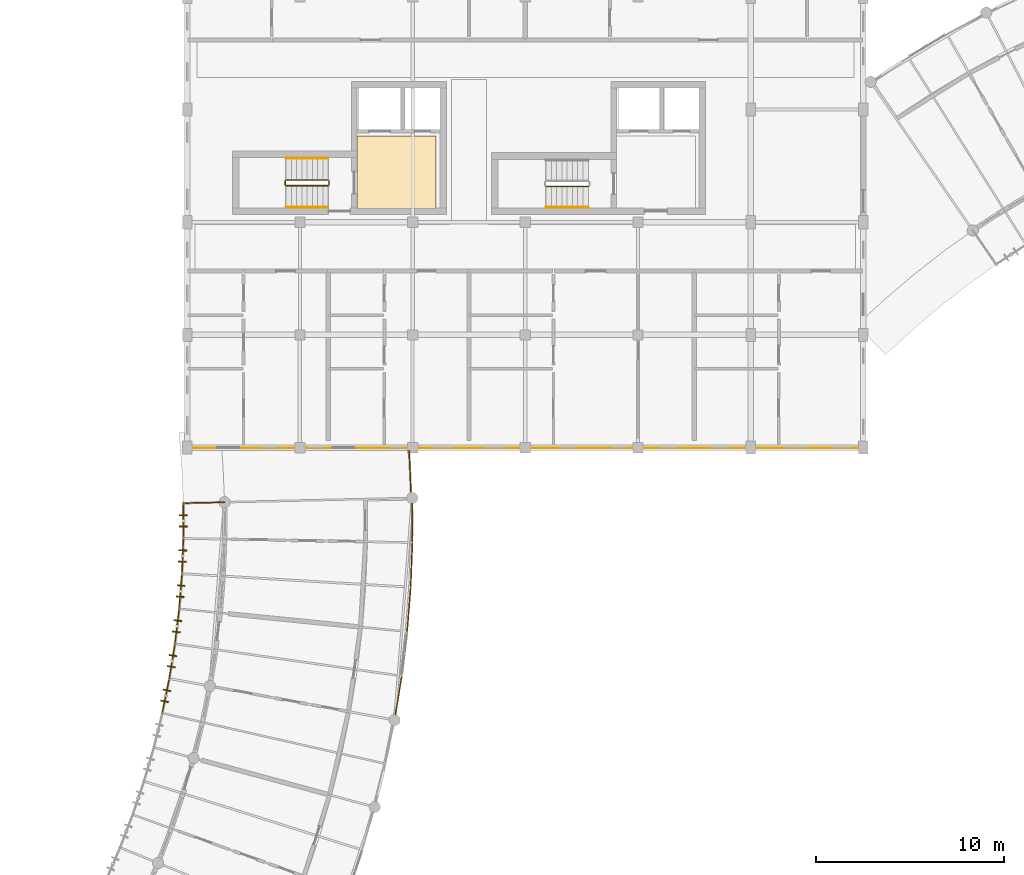
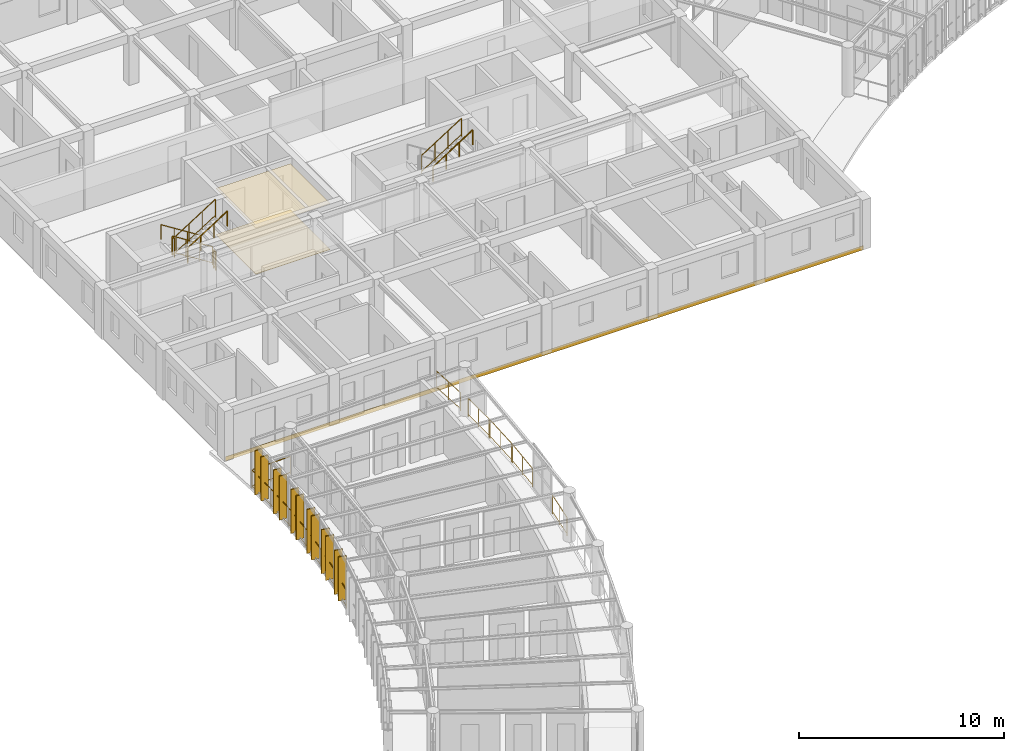
# One storey, part 95 of 101: 20 railings, 12 shading devices, 3 coverings.
"""IFC4 building model written with IfcOpenShell, lengths in metres."""

from ifc_helpers import new_model, si_unit, direction, frame, origin, origin_2d, place, context, subcontext, project, spatial, polyline, rectangle, circle, outline, extrude, material, layer, layer_set, type_object, element, save


model = new_model("IFC4")

# Units and contexts
model_context = context("Model", 3, precision=1e-05, world=origin(), true_north=direction((0.0, 1.0)))
body_context = subcontext(model_context, "Body", "Model", "MODEL_VIEW")
ifc_project = project(units=[si_unit("LENGTHUNIT", "METRE"), si_unit("AREAUNIT", "SQUARE_METRE"), si_unit("VOLUMEUNIT", "CUBIC_METRE"), si_unit("PLANEANGLEUNIT", "RADIAN"), si_unit("MASSUNIT", "GRAM", prefix="KILO"), si_unit("POWERUNIT", "WATT"), si_unit("THERMODYNAMICTEMPERATUREUNIT", "KELVIN")], contexts=[model_context])

# Site, building, storey
site_placement = place(None, origin())
site = spatial("IfcSite", under=ifc_project, at=site_placement, CompositionType="ELEMENT")
building_placement = place(site_placement, origin())
building = spatial("IfcBuilding", under=site, at=building_placement, Name="Ruvembo Vaulted Housing Court", CompositionType="ELEMENT")
storey_placement = place(building_placement, frame((0.0, 0.0, 17.300048828125)))
storey = spatial("IfcBuildingStorey", under=building, at=storey_placement, Name="L05", CompositionType="ELEMENT", Elevation=17.300048828125)

# Coverings
ifc_material_1 = material(Name="Perforated Mineral-Fibre Acoustic Tile", Category="gypsum")
ifc_layer_1 = layer(ifc_material_1, 0.02001953125, Name="Perforated Mineral-Fibre Acoustic Tile")
ifc_layer_set_1 = layer_set([ifc_layer_1], Name="Perforated Mineral-Fibre Acoustic Tile")
covering_type_1 = type_object("IfcCoveringType", Name="COV-CEIL-ACOUST", PredefinedType="CEILING", material=ifc_layer_set_1)
covering_1_placement = place(storey_placement, frame((0.0, 0.0, 2.75)))
element("IfcCovering", 1, at=covering_1_placement, inside=storey, type_object=covering_type_1, Name="Protected Core Lobby B1 Ceiling", PredefinedType="CEILING", context=body_context, shape_type="SweptSolid", body=[
    extrude(outline(polyline([(61.25, 94.60009765625), (57.050048828125, 94.60009765625), (57.050048828125, 90.699951171875), (61.25, 90.699951171875), (61.25, 94.60009765625)])), origin(), (0.0, 0.0, 1.0), 0.02001953125),
])
ifc_material_2 = material(Name="Lime-Cement Mineral Render", Category="plaster")
ifc_layer_2 = layer(ifc_material_2, 0.02490234375, Name="Lime-Cement Mineral Render")
ifc_layer_set_2 = layer_set([ifc_layer_2], Name="Lime-Cement Mineral Render")
covering_type_2 = type_object("IfcCoveringType", Name="COV-CLAD-RENDER", PredefinedType="CLADDING", material=ifc_layer_set_2)
covering_2_placement = place(storey_placement, frame((0.0, 0.0, -0.25)))
element("IfcCovering", 2, at=covering_2_placement, inside=storey, type_object=covering_type_2, Name="Block B L05 Mineral Render Fascia Band", PredefinedType="CLADDING", context=body_context, shape_type="SweptSolid", body=[
    extrude(outline(polyline([(48.0, 77.969970703125), (84.0, 77.969970703125), (84.0, 78.0), (48.0, 78.0), (48.0, 77.969970703125)])), origin(), (0.0, 0.0, 1.0), 0.25),
])
ifc_material_3 = material(Name="Polished Cement-Aggregate Terrazzo", Category="stone")
ifc_layer_3 = layer(ifc_material_3, 0.02197265625, Name="Polished Cement-Aggregate Terrazzo")
ifc_layer_set_3 = layer_set([ifc_layer_3], Name="Polished Cement-Aggregate Terrazzo")
covering_type_3 = type_object("IfcCoveringType", Name="COV-FLR-CERAMIC", PredefinedType="FLOORING", material=ifc_layer_set_3)
covering_3_placement = place(storey_placement, origin())
element("IfcCovering", 3, at=covering_3_placement, inside=storey, type_object=covering_type_3, Name="Protected Core Lobby B1 Flooring", PredefinedType="FLOORING", context=body_context, shape_type="SweptSolid", body=[
    extrude(outline(polyline([(61.25, 94.60009765625), (57.050048828125, 94.60009765625), (57.050048828125, 90.699951171875), (61.25, 90.699951171875), (61.25, 94.60009765625)])), origin(), (0.0, 0.0, 1.0), 0.02197265625),
])

# Railings
ifc_material_4 = material(Name="Galvanised Painted Steel and Laminated Glass", Category="steel")
ifc_layer_4 = layer(ifc_material_4, 0.070068359375, Name="Galvanised Painted Steel and Laminated Glass")
ifc_layer_set_4 = layer_set([ifc_layer_4], Name="Galvanised Painted Steel and Laminated Glass")
railing_type_1 = type_object("IfcRailingType", Name="RL-BALUST-1120", PredefinedType="BALUSTRADE", material=ifc_layer_set_4)
railing_1_placement = place(storey_placement, frame((59.089111328125, 63.79150390625, 0.0)))
element("IfcRailing", 4, at=railing_1_placement, inside=storey, type_object=railing_type_1, Name="L05 Perimeter Guard RL-EXT-L05-0192", PredefinedType="BALUSTRADE", context=body_context, shape_type="SweptSolid", body=[
    extrude(circle(Radius=0.02392578125, at=origin_2d()), frame((0.0, 0.0, 1.09619140625), z_axis=(0.160959462917, 0.986961018125, 0.0), x_axis=(-0.986961018125, 0.160959462917, 0.0)), (0.0, 0.0, 1.0), 2.0263671875),
    extrude(circle(Radius=0.01806640625, at=origin_2d()), frame((0.0, 0.0, 0.1201171875), z_axis=(0.160959462917, 0.986961018125, 0.0), x_axis=(-0.986961018125, 0.160959462917, 0.0)), (0.0, 0.0, 1.0), 2.0263671875),
    extrude(circle(Radius=0.02099609375, at=origin_2d()), origin(), (0.0, 0.0, 1.0), 1.072021484375),
    extrude(circle(Radius=0.02099609375, at=origin_2d()), frame((0.1630859375, 1.0, 0.0)), (0.0, 0.0, 1.0), 1.072021484375),
    extrude(circle(Radius=0.02099609375, at=origin_2d()), frame((0.326171875, 2.0, 0.0)), (0.0, 0.0, 1.0), 1.072021484375),
])
railing_2_placement = place(storey_placement, frame((59.71337890625, 68.249755859375, 0.0)))
element("IfcRailing", 5, at=railing_2_placement, inside=storey, type_object=railing_type_1, Name="L05 Perimeter Guard RL-EXT-L05-0193", PredefinedType="BALUSTRADE", context=body_context, shape_type="SweptSolid", body=[
    extrude(circle(Radius=0.02392578125, at=origin_2d()), frame((0.0, 0.0, 1.09619140625), z_axis=(0.079459662102, 0.996838082187, 0.0), x_axis=(-0.996838082187, 0.079459662102, 0.0)), (0.0, 0.0, 1.0), 2.276611328125),
    extrude(circle(Radius=0.01806640625, at=origin_2d()), frame((0.0, 0.0, 0.1201171875), z_axis=(0.079459662102, 0.996838082187, 0.0), x_axis=(-0.996838082187, 0.079459662102, 0.0)), (0.0, 0.0, 1.0), 2.276611328125),
    extrude(circle(Radius=0.02099609375, at=origin_2d()), origin(), (0.0, 0.0, 1.0), 1.072021484375),
    extrude(circle(Radius=0.02099609375, at=origin_2d()), frame((0.09033203125, 1.134765625, 0.0)), (0.0, 0.0, 1.0), 1.072021484375),
    extrude(circle(Radius=0.02099609375, at=origin_2d()), frame((0.180908203125, 2.26953125, 0.0)), (0.0, 0.0, 1.0), 1.072021484375),
])
railing_3_placement = place(storey_placement, frame((59.900390625, 70.618896484375, 0.0)))
element("IfcRailing", 6, at=railing_3_placement, inside=storey, type_object=railing_type_1, Name="L05 Perimeter Guard RL-EXT-L05-0194", PredefinedType="BALUSTRADE", context=body_context, shape_type="SweptSolid", body=[
    extrude(circle(Radius=0.02392578125, at=origin_2d()), frame((0.0, 0.0, 1.09619140625), z_axis=(0.038713176798, 0.999250363994, 0.0), x_axis=(-0.999250363994, 0.038713176798, 0.0)), (0.0, 0.0, 1.0), 2.276611328125),
    extrude(circle(Radius=0.01806640625, at=origin_2d()), frame((0.0, 0.0, 0.1201171875), z_axis=(0.038713176798, 0.999250363994, 0.0), x_axis=(-0.999250363994, 0.038713176798, 0.0)), (0.0, 0.0, 1.0), 2.276611328125),
    extrude(circle(Radius=0.02099609375, at=origin_2d()), origin(), (0.0, 0.0, 1.0), 1.072021484375),
    extrude(circle(Radius=0.02099609375, at=origin_2d()), frame((0.0439453125, 1.137451171875, 0.0)), (0.0, 0.0, 1.0), 1.072021484375),
    extrude(circle(Radius=0.02099609375, at=origin_2d()), frame((0.088134765625, 2.27490234375, 0.0)), (0.0, 0.0, 1.0), 1.072021484375),
])
railing_4_placement = place(storey_placement, frame((59.990234375, 72.993896484375, 0.0)))
element("IfcRailing", 7, at=railing_4_placement, inside=storey, type_object=railing_type_1, Name="L05 Perimeter Guard RL-EXT-L05-0195", PredefinedType="BALUSTRADE", context=body_context, shape_type="SweptSolid", body=[
    extrude(circle(Radius=0.02392578125, at=origin_2d()), frame((0.0, 0.0, 1.09619140625), z_axis=(-0.002289150629, 0.999997379891, 0.0), x_axis=(-0.999997379891, -0.002289150629, 0.0)), (0.0, 0.0, 1.0), 2.0263671875),
    extrude(circle(Radius=0.01806640625, at=origin_2d()), frame((0.0, 0.0, 0.1201171875), z_axis=(-0.002289150629, 0.999997379891, 0.0), x_axis=(-0.999997379891, -0.002289150629, 0.0)), (0.0, 0.0, 1.0), 2.0263671875),
    extrude(circle(Radius=0.02099609375, at=origin_2d()), origin(), (0.0, 0.0, 1.0), 1.072021484375),
    extrude(circle(Radius=0.02099609375, at=origin_2d()), frame((-0.00244140625, 1.01318359375, 0.0)), (0.0, 0.0, 1.0), 1.072021484375),
    extrude(circle(Radius=0.02099609375, at=origin_2d()), frame((-0.004638671875, 2.0263671875, 0.0)), (0.0, 0.0, 1.0), 1.072021484375),
])
ifc_material_5 = material(Name="Galvanised Painted Steel S275", Category="steel")
ifc_layer_5 = layer(ifc_material_5, 0.06005859375, Name="Galvanised Painted Steel S275")
ifc_layer_set_5 = layer_set([ifc_layer_5], Name="Galvanised Painted Steel S275")
railing_type_2 = type_object("IfcRailingType", Name="RL-GUARD-1100", PredefinedType="GUARDRAIL", material=ifc_layer_set_5)
railing_5_placement = place(storey_placement, frame((46.664794921875, 63.86669921875, 0.0)))
element("IfcRailing", 8, at=railing_5_placement, inside=storey, type_object=railing_type_2, Name="L05 Perimeter Guard RL-EXT-L05-0174", PredefinedType="GUARDRAIL", context=body_context, shape_type="SweptSolid", body=[
    extrude(circle(Radius=0.02392578125, at=origin_2d()), frame((0.0, 0.0, 1.076171875), z_axis=(0.20126745828, 0.979536324103, 0.0), x_axis=(-0.979536324103, 0.20126745828, 0.0)), (0.0, 0.0, 1.0), 1.87646484375),
    extrude(circle(Radius=0.01806640625, at=origin_2d()), frame((0.0, 0.0, 0.1201171875), z_axis=(0.20126745828, 0.979536324103, 0.0), x_axis=(-0.979536324103, 0.20126745828, 0.0)), (0.0, 0.0, 1.0), 1.87646484375),
    extrude(circle(Radius=0.02099609375, at=origin_2d()), origin(), (0.0, 0.0, 1.0), 1.052001953125),
    extrude(circle(Radius=0.02099609375, at=origin_2d()), frame((0.18896484375, 0.9189453125, 0.0)), (0.0, 0.0, 1.0), 1.052001953125),
    extrude(circle(Radius=0.02099609375, at=origin_2d()), frame((0.377685546875, 1.838134765625, 0.0)), (0.0, 0.0, 1.0), 1.052001953125),
])
railing_6_placement = place(storey_placement, frame((47.04248046875, 65.704833984375, 0.0)))
element("IfcRailing", 9, at=railing_6_placement, inside=storey, type_object=railing_type_2, Name="L05 Perimeter Guard RL-EXT-L05-0175", PredefinedType="GUARDRAIL", context=body_context, shape_type="SweptSolid", body=[
    extrude(circle(Radius=0.02392578125, at=origin_2d()), frame((0.0, 0.0, 1.076171875), z_axis=(0.16093792822, 0.98696452989, 0.0), x_axis=(-0.98696452989, 0.16093792822, 0.0)), (0.0, 0.0, 1.0), 1.87646484375),
    extrude(circle(Radius=0.01806640625, at=origin_2d()), frame((0.0, 0.0, 0.1201171875), z_axis=(0.16093792822, 0.98696452989, 0.0), x_axis=(-0.98696452989, 0.16093792822, 0.0)), (0.0, 0.0, 1.0), 1.87646484375),
    extrude(circle(Radius=0.02099609375, at=origin_2d()), origin(), (0.0, 0.0, 1.0), 1.052001953125),
    extrude(circle(Radius=0.02099609375, at=origin_2d()), frame((0.15087890625, 0.926025390625, 0.0)), (0.0, 0.0, 1.0), 1.052001953125),
    extrude(circle(Radius=0.02099609375, at=origin_2d()), frame((0.302001953125, 1.85205078125, 0.0)), (0.0, 0.0, 1.0), 1.052001953125),
])
railing_7_placement = place(storey_placement, frame((47.344482421875, 67.556884765625, 0.0)))
element("IfcRailing", 10, at=railing_7_placement, inside=storey, type_object=railing_type_2, Name="L05 Perimeter Guard RL-EXT-L05-0176", PredefinedType="GUARDRAIL", context=body_context, shape_type="SweptSolid", body=[
    extrude(circle(Radius=0.02392578125, at=origin_2d()), frame((0.0, 0.0, 1.076171875), z_axis=(0.120335252624, 0.992733311104, 0.0), x_axis=(-0.992733311104, 0.120335252624, 0.0)), (0.0, 0.0, 1.0), 1.876708984375),
    extrude(circle(Radius=0.01806640625, at=origin_2d()), frame((0.0, 0.0, 0.1201171875), z_axis=(0.120335252624, 0.992733311104, 0.0), x_axis=(-0.992733311104, 0.120335252624, 0.0)), (0.0, 0.0, 1.0), 1.876708984375),
    extrude(circle(Radius=0.02099609375, at=origin_2d()), origin(), (0.0, 0.0, 1.0), 1.052001953125),
    extrude(circle(Radius=0.02099609375, at=origin_2d()), frame((0.11279296875, 0.931640625, 0.0)), (0.0, 0.0, 1.0), 1.052001953125),
    extrude(circle(Radius=0.02099609375, at=origin_2d()), frame((0.225830078125, 1.863037109375, 0.0)), (0.0, 0.0, 1.0), 1.052001953125),
])
railing_8_placement = place(storey_placement, frame((47.5703125, 69.419921875, 0.0)))
element("IfcRailing", 11, at=railing_8_placement, inside=storey, type_object=railing_type_2, Name="L05 Perimeter Guard RL-EXT-L05-0177", PredefinedType="GUARDRAIL", context=body_context, shape_type="SweptSolid", body=[
    extrude(circle(Radius=0.02392578125, at=origin_2d()), frame((0.0, 0.0, 1.076171875), z_axis=(0.079610795565, 0.996826023552, 0.0), x_axis=(-0.996826023552, 0.079610795565, 0.0)), (0.0, 0.0, 1.0), 1.876708984375),
    extrude(circle(Radius=0.01806640625, at=origin_2d()), frame((0.0, 0.0, 0.1201171875), z_axis=(0.079610795565, 0.996826023552, 0.0), x_axis=(-0.996826023552, 0.079610795565, 0.0)), (0.0, 0.0, 1.0), 1.876708984375),
    extrude(circle(Radius=0.02099609375, at=origin_2d()), origin(), (0.0, 0.0, 1.0), 1.052001953125),
    extrude(circle(Radius=0.02099609375, at=origin_2d()), frame((0.07470703125, 0.935546875, 0.0)), (0.0, 0.0, 1.0), 1.052001953125),
    extrude(circle(Radius=0.02099609375, at=origin_2d()), frame((0.1494140625, 1.870849609375, 0.0)), (0.0, 0.0, 1.0), 1.052001953125),
])
railing_9_placement = place(storey_placement, frame((47.7197265625, 71.290771484375, 0.0)))
element("IfcRailing", 12, at=railing_9_placement, inside=storey, type_object=railing_type_2, Name="L05 Perimeter Guard RL-EXT-L05-0178", PredefinedType="GUARDRAIL", context=body_context, shape_type="SweptSolid", body=[
    extrude(circle(Radius=0.02392578125, at=origin_2d()), frame((0.0, 0.0, 1.076171875), z_axis=(0.038767865725, 0.999248243725, 0.0), x_axis=(-0.999248243725, 0.038767865725, 0.0)), (0.0, 0.0, 1.0), 1.876708984375),
    extrude(circle(Radius=0.01806640625, at=origin_2d()), frame((0.0, 0.0, 0.1201171875), z_axis=(0.038767865725, 0.999248243725, 0.0), x_axis=(-0.999248243725, 0.038767865725, 0.0)), (0.0, 0.0, 1.0), 1.876708984375),
    extrude(circle(Radius=0.02099609375, at=origin_2d()), origin(), (0.0, 0.0, 1.0), 1.052001953125),
    extrude(circle(Radius=0.02099609375, at=origin_2d()), frame((0.036376953125, 0.9375, 0.0)), (0.0, 0.0, 1.0), 1.052001953125),
    extrude(circle(Radius=0.02099609375, at=origin_2d()), frame((0.07275390625, 1.875244140625, 0.0)), (0.0, 0.0, 1.0), 1.052001953125),
])
railing_10_placement = place(storey_placement, frame((47.79248046875, 73.166015625, 0.0)))
element("IfcRailing", 13, at=railing_10_placement, inside=storey, type_object=railing_type_2, Name="L05 Perimeter Guard RL-EXT-L05-0179", PredefinedType="GUARDRAIL", context=body_context, shape_type="SweptSolid", body=[
    extrude(circle(Radius=0.02392578125, at=origin_2d()), frame((0.0, 0.0, 1.076171875), z_axis=(-0.002341913952, 0.999997257716, 0.0), x_axis=(-0.999997257716, -0.002341913952, 0.0)), (0.0, 0.0, 1.0), 1.87646484375),
    extrude(circle(Radius=0.01806640625, at=origin_2d()), frame((0.0, 0.0, 0.1201171875), z_axis=(-0.002341913952, 0.999997257716, 0.0), x_axis=(-0.999997257716, -0.002341913952, 0.0)), (0.0, 0.0, 1.0), 1.87646484375),
    extrude(circle(Radius=0.02099609375, at=origin_2d()), origin(), (0.0, 0.0, 1.0), 1.052001953125),
    extrude(circle(Radius=0.02099609375, at=origin_2d()), frame((-0.002197265625, 0.938232421875, 0.0)), (0.0, 0.0, 1.0), 1.052001953125),
    extrude(circle(Radius=0.02099609375, at=origin_2d()), frame((-0.00439453125, 1.87646484375, 0.0)), (0.0, 0.0, 1.0), 1.052001953125),
])
railing_11_placement = place(storey_placement, frame((47.7880859375, 75.04248046875, 0.0)))
element("IfcRailing", 14, at=railing_11_placement, inside=storey, type_object=railing_type_2, Name="L05 Perimeter Guard RL-EXT-L05-0180", PredefinedType="GUARDRAIL", context=body_context, shape_type="SweptSolid", body=[
    extrude(circle(Radius=0.02392578125, at=origin_2d()), frame((0.0, 0.0, 1.076171875), z_axis=(0.999741204967, 0.022749133868, 0.0), x_axis=(-0.022749133868, 0.999741204967, 0.0)), (0.0, 0.0, 1.0), 2.199951171875),
    extrude(circle(Radius=0.01806640625, at=origin_2d()), frame((0.0, 0.0, 0.1201171875), z_axis=(0.999741204967, 0.022749133868, 0.0), x_axis=(-0.022749133868, 0.999741204967, 0.0)), (0.0, 0.0, 1.0), 2.199951171875),
    extrude(circle(Radius=0.02099609375, at=origin_2d()), origin(), (0.0, 0.0, 1.0), 1.052001953125),
    extrude(circle(Radius=0.02099609375, at=origin_2d()), frame((1.099609375, 0.02490234375, 0.0)), (0.0, 0.0, 1.0), 1.052001953125),
    extrude(circle(Radius=0.02099609375, at=origin_2d()), frame((2.199462890625, 0.050048828125, 0.0)), (0.0, 0.0, 1.0), 1.052001953125),
])
railing_12_placement = place(storey_placement, frame((59.810302734375, 77.83251953125, 0.0)))
element("IfcRailing", 15, at=railing_12_placement, inside=storey, type_object=railing_type_2, Name="L05 Perimeter Guard RL-EXT-L05-0903", PredefinedType="GUARDRAIL", context=body_context, shape_type="SweptSolid", body=[
    extrude(circle(Radius=0.02392578125, at=origin_2d()), frame((0.0, 0.0, 1.076171875), z_axis=(0.045976897872, -0.998942503281, 0.0), x_axis=(0.998942503281, 0.045976897872, 0.0)), (0.0, 0.0, 1.0), 2.198486328125),
    extrude(circle(Radius=0.01806640625, at=origin_2d()), frame((0.0, 0.0, 0.1201171875), z_axis=(0.045976897872, -0.998942503281, 0.0), x_axis=(0.998942503281, 0.045976897872, 0.0)), (0.0, 0.0, 1.0), 2.198486328125),
    extrude(circle(Radius=0.02099609375, at=origin_2d()), origin(), (0.0, 0.0, 1.0), 1.052001953125),
    extrude(circle(Radius=0.02099609375, at=origin_2d()), frame((0.050537109375, -1.09814453125, 0.0)), (0.0, 0.0, 1.0), 1.052001953125),
    extrude(circle(Radius=0.02099609375, at=origin_2d()), frame((0.10107421875, -2.196044921875, 0.0)), (0.0, 0.0, 1.0), 1.052001953125),
])
ifc_material_6 = material(Name="Painted Galvanised Steel S275", Category="steel")
ifc_layer_6 = layer(ifc_material_6, 0.06005859375, Name="Painted Galvanised Steel S275")
ifc_layer_set_6 = layer_set([ifc_layer_6], Name="Painted Galvanised Steel S275")
railing_type_3 = type_object("IfcRailingType", Name="RL-STAIR-GR1100", PredefinedType="GUARDRAIL", material=ifc_layer_set_6)
railing_13_placement = place(storey_placement, frame((55.5, 92.25, 0.177734375)))
element("IfcRailing", 16, at=railing_13_placement, inside=storey, type_object=railing_type_3, Name="L05 ST-B1 stair guard 1", PredefinedType="GUARDRAIL", context=body_context, shape_type="SweptSolid", body=[
    extrude(circle(Radius=0.02392578125, at=origin_2d()), frame((0.0, 0.0, 1.076171875), z_axis=(-0.8442293374, 0.0, 0.53598211339), x_axis=(0.0, -1.0, 0.0)), (0.0, 0.0, 1.0), 2.6533203125),
    extrude(circle(Radius=0.01806640625, at=origin_2d()), frame((0.0, 0.0, 0.1201171875), z_axis=(-0.8442293374, 0.0, 0.53598211339), x_axis=(0.0, -1.0, 0.0)), (0.0, 0.0, 1.0), 2.6533203125),
    extrude(circle(Radius=0.02099609375, at=origin_2d()), origin(), (0.0, 0.0, 1.0), 1.052001953125),
    extrude(circle(Radius=0.02099609375, at=origin_2d()), frame((-0.74658203125, 0.0, 0.47412109375)), (0.0, 0.0, 1.0), 1.052001953125),
    extrude(circle(Radius=0.02099609375, at=origin_2d()), frame((-1.493408203125, 0.0, 0.947998046875)), (0.0, 0.0, 1.0), 1.052001953125),
    extrude(circle(Radius=0.02099609375, at=origin_2d()), frame((-2.239990234375, 0.0, 1.422119140625)), (0.0, 0.0, 1.0), 1.052001953125),
])
railing_14_placement = place(storey_placement, frame((53.2099609375, 92.199951171875, 1.599853515625)))
element("IfcRailing", 17, at=railing_14_placement, inside=storey, type_object=railing_type_3, Name="L05 ST-B1 stair guard 2", PredefinedType="GUARDRAIL", context=body_context, shape_type="SweptSolid", body=[
    extrude(circle(Radius=0.02392578125, at=origin_2d()), frame((0.0, 0.0, 1.076171875), z_axis=(0.0, -1.0, 0.0), x_axis=(1.0, 0.0, 0.0)), (0.0, 0.0, 1.0), 0.199951171875),
    extrude(circle(Radius=0.01806640625, at=origin_2d()), frame((0.0, 0.0, 0.1201171875), z_axis=(0.0, -1.0, 0.0), x_axis=(1.0, 0.0, 0.0)), (0.0, 0.0, 1.0), 0.199951171875),
    extrude(circle(Radius=0.02099609375, at=origin_2d()), origin(), (0.0, 0.0, 1.0), 1.052001953125),
    extrude(circle(Radius=0.02099609375, at=origin_2d()), frame((0.0, -0.199951171875, 0.0)), (0.0, 0.0, 1.0), 1.052001953125),
])
railing_15_placement = place(storey_placement, frame((53.260009765625, 91.949951171875, 1.77783203125)))
element("IfcRailing", 18, at=railing_15_placement, inside=storey, type_object=railing_type_3, Name="L05 ST-B1 stair guard 3", PredefinedType="GUARDRAIL", context=body_context, shape_type="SweptSolid", body=[
    extrude(circle(Radius=0.02392578125, at=origin_2d()), frame((0.0, 0.0, 1.076171875), z_axis=(0.8442293374, 0.0, 0.53598211339), x_axis=(0.0, 1.0, 0.0)), (0.0, 0.0, 1.0), 2.6533203125),
    extrude(circle(Radius=0.01806640625, at=origin_2d()), frame((0.0, 0.0, 0.1201171875), z_axis=(0.8442293374, 0.0, 0.53598211339), x_axis=(0.0, 1.0, 0.0)), (0.0, 0.0, 1.0), 2.6533203125),
    extrude(circle(Radius=0.02099609375, at=origin_2d()), origin(), (0.0, 0.0, 1.0), 1.052001953125),
    extrude(circle(Radius=0.02099609375, at=origin_2d()), frame((0.74658203125, 0.0, 0.47412109375)), (0.0, 0.0, 1.0), 1.052001953125),
    extrude(circle(Radius=0.02099609375, at=origin_2d()), frame((1.493408203125, 0.0, 0.947998046875)), (0.0, 0.0, 1.0), 1.052001953125),
    extrude(circle(Radius=0.02099609375, at=origin_2d()), frame((2.239990234375, 0.0, 1.422119140625)), (0.0, 0.0, 1.0), 1.052001953125),
])
railing_16_placement = place(storey_placement, frame((55.550048828125, 92.199951171875, 0.0)))
element("IfcRailing", 19, at=railing_16_placement, inside=storey, type_object=railing_type_3, Name="L05 ST-B1 stair guard 4", PredefinedType="GUARDRAIL", context=body_context, shape_type="SweptSolid", body=[
    extrude(circle(Radius=0.02392578125, at=origin_2d()), frame((0.0, 0.0, 1.076171875), z_axis=(0.0, -1.0, 0.0), x_axis=(1.0, 0.0, 0.0)), (0.0, 0.0, 1.0), 0.199951171875),
    extrude(circle(Radius=0.01806640625, at=origin_2d()), frame((0.0, 0.0, 0.1201171875), z_axis=(0.0, -1.0, 0.0), x_axis=(1.0, 0.0, 0.0)), (0.0, 0.0, 1.0), 0.199951171875),
    extrude(circle(Radius=0.02099609375, at=origin_2d()), origin(), (0.0, 0.0, 1.0), 1.052001953125),
    extrude(circle(Radius=0.02099609375, at=origin_2d()), frame((0.0, -0.199951171875, 0.0)), (0.0, 0.0, 1.0), 1.052001953125),
])
railing_17_placement = place(storey_placement, frame((67.110107421875, 91.89990234375, 1.77783203125)))
element("IfcRailing", 20, at=railing_17_placement, inside=storey, type_object=railing_type_3, Name="L05 ST-B2 stair guard 3", PredefinedType="GUARDRAIL", context=body_context, shape_type="SweptSolid", body=[
    extrude(circle(Radius=0.02392578125, at=origin_2d()), frame((0.0, 0.0, 1.076171875), z_axis=(0.8442293374, 0.0, 0.53598211339), x_axis=(0.0, 1.0, 0.0)), (0.0, 0.0, 1.0), 2.6533203125),
    extrude(circle(Radius=0.01806640625, at=origin_2d()), frame((0.0, 0.0, 0.1201171875), z_axis=(0.8442293374, 0.0, 0.53598211339), x_axis=(0.0, 1.0, 0.0)), (0.0, 0.0, 1.0), 2.6533203125),
    extrude(circle(Radius=0.02099609375, at=origin_2d()), origin(), (0.0, 0.0, 1.0), 1.052001953125),
    extrude(circle(Radius=0.02099609375, at=origin_2d()), frame((0.74658203125, 0.0, 0.47412109375)), (0.0, 0.0, 1.0), 1.052001953125),
    extrude(circle(Radius=0.02099609375, at=origin_2d()), frame((1.493408203125, 0.0, 0.947998046875)), (0.0, 0.0, 1.0), 1.052001953125),
    extrude(circle(Radius=0.02099609375, at=origin_2d()), frame((2.239990234375, 0.0, 1.422119140625)), (0.0, 0.0, 1.0), 1.052001953125),
])
ifc_material_7 = material(Name="Brushed Stainless Steel 304", Category="steel")
ifc_layer_7 = layer(ifc_material_7, 0.050048828125, Name="Brushed Stainless Steel 304")
ifc_layer_set_7 = layer_set([ifc_layer_7], Name="Brushed Stainless Steel 304")
railing_type_4 = type_object("IfcRailingType", Name="RL-STAIR-HR920", PredefinedType="HANDRAIL", material=ifc_layer_set_7)
railing_18_placement = place(storey_placement, frame((55.5, 93.39990234375, 0.359130859375)))
element("IfcRailing", 21, at=railing_18_placement, inside=storey, type_object=railing_type_4, Name="L05 ST-B1 stair handrail 1", PredefinedType="HANDRAIL", context=body_context, shape_type="SweptSolid", body=[
    extrude(circle(Radius=0.02392578125, at=origin_2d()), frame((0.0, 0.0, 0.8759765625), z_axis=(-0.84418770128, 0.0, 0.536047689118), x_axis=(0.0, -1.0, 0.0)), (0.0, 0.0, 1.0), 2.6533203125),
    extrude(circle(Radius=0.02099609375, at=origin_2d()), origin(), (0.0, 0.0, 1.0), 0.851806640625),
    extrude(circle(Radius=0.02099609375, at=origin_2d()), frame((-0.74658203125, 0.0, 0.47412109375)), (0.0, 0.0, 1.0), 0.851806640625),
    extrude(circle(Radius=0.02099609375, at=origin_2d()), frame((-1.493408203125, 0.0, 0.9482421875)), (0.0, 0.0, 1.0), 0.851806640625),
    extrude(circle(Radius=0.02099609375, at=origin_2d()), frame((-2.239990234375, 0.0, 1.42236328125)), (0.0, 0.0, 1.0), 0.851806640625),
])
for number, where, name in (
    (22, (53.260009765625, 90.800048828125, 1.959228515625), "L05 ST-B1 stair handrail 2"),
    (23, (67.110107421875, 90.800048828125, 1.959228515625), "L05 ST-B2 stair handrail 2"),
):
    element("IfcRailing", number, at=place(storey_placement, frame(where)), inside=storey, type_object=railing_type_4, Name=name, PredefinedType="HANDRAIL", context=body_context, shape_type="SweptSolid", body=[
        extrude(circle(Radius=0.02392578125, at=origin_2d()), frame((0.0, 0.0, 0.8759765625), z_axis=(0.8442293374, 0.0, 0.53598211339), x_axis=(0.0, 1.0, 0.0)), (0.0, 0.0, 1.0), 2.6533203125),
        extrude(circle(Radius=0.02099609375, at=origin_2d()), origin(), (0.0, 0.0, 1.0), 0.851806640625),
        extrude(circle(Radius=0.02099609375, at=origin_2d()), frame((0.74658203125, 0.0, 0.47412109375)), (0.0, 0.0, 1.0), 0.851806640625),
        extrude(circle(Radius=0.02099609375, at=origin_2d()), frame((1.493408203125, 0.0, 0.947998046875)), (0.0, 0.0, 1.0), 0.851806640625),
        extrude(circle(Radius=0.02099609375, at=origin_2d()), frame((2.239990234375, 0.0, 1.422119140625)), (0.0, 0.0, 1.0), 0.851806640625),
    ])

# Shading devices
ifc_material_8 = material(Name="Kiln-Fired Terracotta Extrusion", Category="masonry")
shading_device_type = type_object("IfcShadingDeviceType", Name="SHD-FIN-420", PredefinedType="USERDEFINED", material=ifc_material_8)
for number, where, z_axis, x_axis, name in (
    (24, (46.793212890625, 64.491943359375, 0.050048828125), (0.0, 0.0, 1.0), (0.979547164277, -0.201214693692, 0.0), "Terracotta Brise-Soleil Fin #179"),
    (25, (46.9140625, 65.07958984375, 0.050048828125), (0.0, 0.0, 1.0), (0.979547164277, -0.201214693692, 0.0), "Terracotta Brise-Soleil Fin #180"),
    (26, (47.145263671875, 66.3349609375, 0.050048828125), (0.0, 0.0, 1.0), (0.986957060278, -0.160983729511, 0.0), "Terracotta Brise-Soleil Fin #181"),
    (27, (47.24169921875, 66.927001953125, 0.050048828125), (0.0, 0.0, 1.0), (0.986957060278, -0.160983729511, 0.0), "Terracotta Brise-Soleil Fin #182"),
    (28, (47.42138671875, 68.190673828125, 0.050048828125), (0.0, 0.0, 1.0), (0.992734259016, -0.120327432347, 0.0), "Terracotta Brise-Soleil Fin #183"),
    (29, (47.49365234375, 68.786376953125, 0.050048828125), (0.0, 0.0, 1.0), (0.992734259016, -0.120327432347, 0.0), "Terracotta Brise-Soleil Fin #184"),
    (30, (47.62109375, 70.056396484375, 0.050048828125), (0.0, 0.0, 1.0), (0.996826293951, -0.079607409749, 0.0), "Terracotta Brise-Soleil Fin #185"),
    (31, (47.6689453125, 70.654296875, 0.050048828125), (0.0, 0.0, 1.0), (0.996826293951, -0.079607409749, 0.0), "Terracotta Brise-Soleil Fin #186"),
    (32, (47.744384765625, 71.928466796875, 0.050048828125), (0.0, 0.0, 1.0), (0.999251482534, -0.038684294669, 0.0), "Terracotta Brise-Soleil Fin #187"),
    (33, (47.767578125, 72.528076171875, 0.050048828125), (0.0, 0.0, 1.0), (0.999251482534, -0.038684294669, 0.0), "Terracotta Brise-Soleil Fin #188"),
    (34, (47.791015625, 73.80419921875, 0.050048828125), (0.0, 0.0, 1.0), (0.999997386231, 0.002286379328, 0.0), "Terracotta Brise-Soleil Fin #189"),
    (35, (47.78955078125, 74.404296875, 0.050048828125), (0.0, 0.0, 1.0), (0.999997386231, 0.002286379328, 0.0), "Terracotta Brise-Soleil Fin #190"),
):
    element("IfcShadingDevice", number, at=place(storey_placement, frame(where, z_axis=z_axis, x_axis=x_axis)), inside=storey, type_object=shading_device_type, Name=name, ObjectType="FIN", PredefinedType="USERDEFINED", context=body_context, shape_type="SweptSolid", body=[
        extrude(rectangle(XDim=0.419921875, YDim=0.06494140625, at=origin_2d()), origin(), (0.0, 0.0, 1.0), 2.625),
    ])

save(model, "model.ifc")
